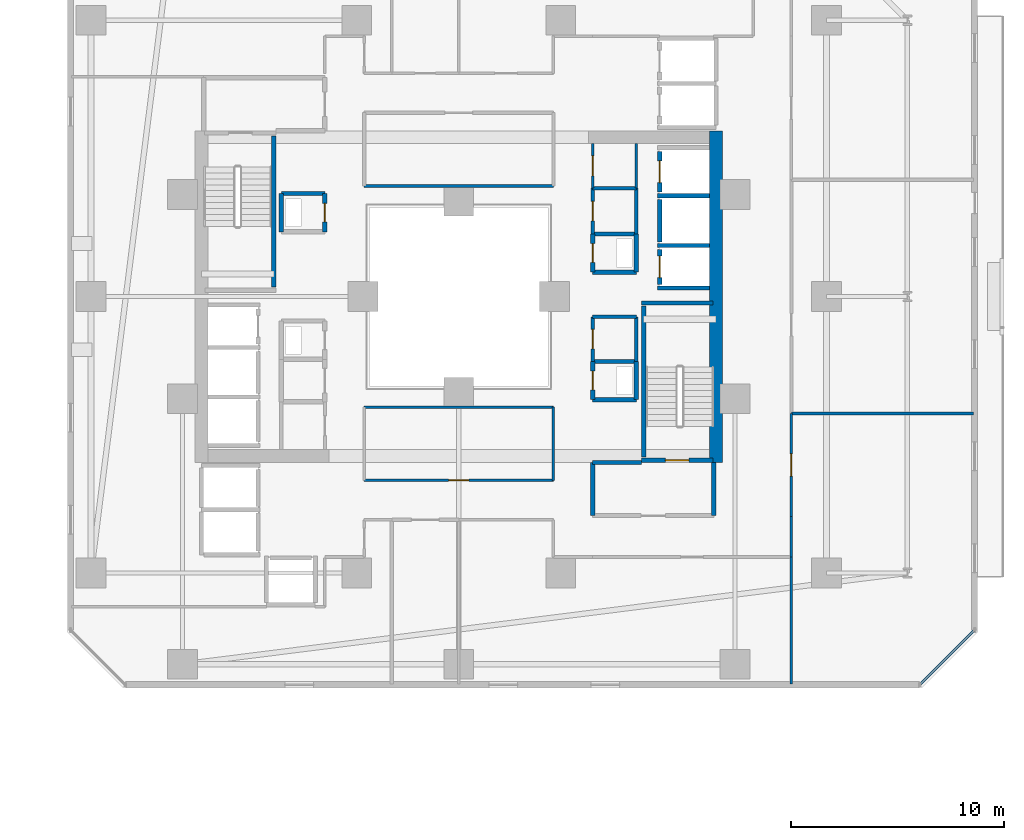
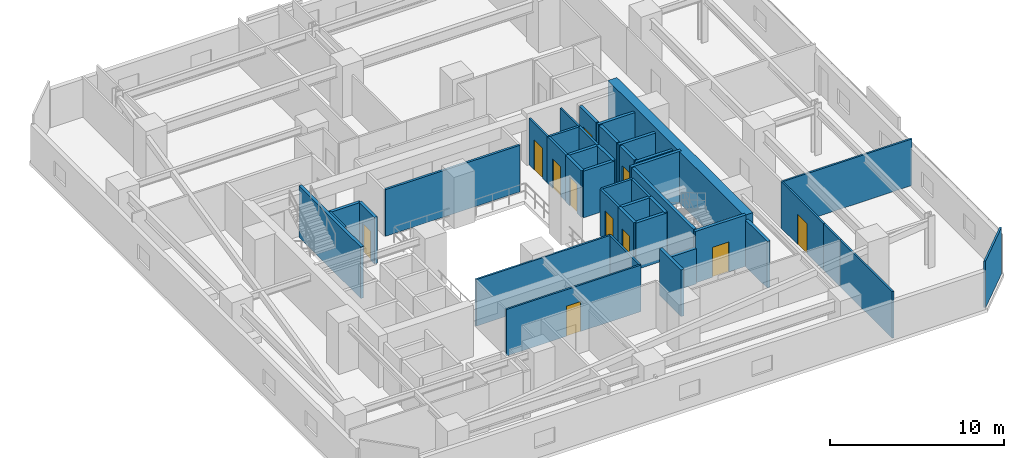
# One storey, part 26 of 36: 42 walls, 11 doors, 11 openings.
"""IFC4 building model written with IfcOpenShell, lengths in metres."""

from ifc_helpers import new_model, si_unit, direction, frame, frame_2d, origin, place, context, subcontext, project, spatial, rectangle, extrude, material, layer, layer_set, type_object, element, fill, save


model = new_model("IFC4")

# Units and contexts
model_context = context("Model", 3, precision=1e-05, world=origin(), true_north=direction((0.0, 1.0)))
body_context = subcontext(model_context, "Body", "Model", "MODEL_VIEW")
ifc_project = project(units=[si_unit("LENGTHUNIT", "METRE"), si_unit("AREAUNIT", "SQUARE_METRE"), si_unit("VOLUMEUNIT", "CUBIC_METRE"), si_unit("PLANEANGLEUNIT", "RADIAN"), si_unit("MASSUNIT", "GRAM", prefix="KILO")], contexts=[model_context])

# Site, building, storey
site_placement = place(None, origin())
site = spatial("IfcSite", under=ifc_project, at=site_placement, CompositionType="ELEMENT")
building_placement = place(site_placement, origin())
building = spatial("IfcBuilding", under=site, at=building_placement, Name="Thornwick Lancets Civic Towers", CompositionType="ELEMENT")
storey_placement = place(building_placement, frame((0.0, 0.0, 68.10009765625)))
storey = spatial("IfcBuildingStorey", under=building, at=storey_placement, Name="L17", CompositionType="ELEMENT", Elevation=68.10009765625)

# Wall, opening, door
ifc_material_1 = material(Name="Concrete blockwork C40/50", Category="masonry")
ifc_layer_1 = layer(ifc_material_1, 0.199951171875, Name="Concrete blockwork C40/50")
ifc_layer_set_1 = layer_set([ifc_layer_1], Name="Concrete blockwork C40/50")
wall_type_1 = type_object("IfcWallType", Name="WALL_COMP_200", PredefinedType="STANDARD", material=ifc_layer_set_1)
wall_1_placement = place(storey_placement, frame((97.949951171875, 29.219970703125, 0.0), z_axis=(0.0, 0.0, 1.0), x_axis=(0.0, -1.0, 0.0)))
wall_1 = element("IfcWall", 1, at=wall_1_placement, inside=storey, type_object=wall_type_1, Name="L17 Hoistway Front Wall FL-B1", PredefinedType="STANDARD", context=body_context, shape_type="SweptSolid", body=[
    extrude(rectangle(XDim=1.639892578125, YDim=0.199951171875, at=frame_2d((0.81982421875, 0.0))), origin(), (0.0, 0.0, 1.0), 3.260009765625),
])
opening_1_placement = place(wall_1_placement, frame((0.31005859375, 0.0, 0.0)))
opening_1 = element("IfcOpeningElement", 2, at=opening_1_placement, cuts=wall_1, Name="Opening LD-FL-B1", PredefinedType="OPENING", context=body_context, shape_type="SweptSolid", body=[
    extrude(rectangle(XDim=1.02001953125, YDim=2.06005859375, at=frame_2d((0.510009765625, 1.030029296875))), frame((0.0, 0.10986328125, 0.0), z_axis=(0.0, -1.0, 0.0), x_axis=(1.0, 0.0, 0.0)), (0.0, 0.0, 1.0), 0.219970703125),
])
ifc_material_2 = material(Name="Brushed bronze stainless steel", Category="steel")
door_type_1 = type_object("IfcDoorType", Name="DOOR_LIFT_SLIDE", OperationType="SLIDING_TO_LEFT", PredefinedType="DOOR", material=ifc_material_2)
door_1_placement = place(opening_1_placement, origin())
door_1 = element("IfcDoor", 3, at=door_1_placement, inside=storey, type_object=door_type_1, Name="L17 Sliding Lift Landing Door LD-FL-B1", OperationType="SLIDING_TO_LEFT", OverallHeight=2.06005859375, OverallWidth=1.02001953125, PredefinedType="DOOR", context=body_context, shape_type="SweptSolid", body=[
    extrude(rectangle(XDim=1.02001953125, YDim=2.06005859375, at=frame_2d((0.510009765625, 1.030029296875))), frame((0.0, 0.02490234375, 0.0), z_axis=(0.0, -1.0, 0.0), x_axis=(1.0, 0.0, 0.0)), (0.0, 0.0, 1.0), 0.050048828125),
])
fill(opening_1, door_1)

# Wall
wall_2_placement = place(storey_placement, frame((97.949951171875, 31.570068359375, 0.0), z_axis=(0.0, 0.0, 1.0), x_axis=(0.0, -1.0, 0.0)))
element("IfcWall", 4, at=wall_2_placement, inside=storey, type_object=wall_type_1, Name="L17 Hoistway Front Wall PL-BH1", PredefinedType="STANDARD", context=body_context, shape_type="SweptSolid", body=[
    extrude(rectangle(XDim=1.989990234375, YDim=0.199951171875, at=frame_2d((0.9951171875, 0.0))), origin(), (0.0, 0.0, 1.0), 3.260009765625),
])

# Wall, opening, door
wall_3_placement = place(storey_placement, frame((97.949951171875, 33.820068359375, 0.0), z_axis=(0.0, 0.0, 1.0), x_axis=(0.0, -1.0, 0.0)))
wall_3 = element("IfcWall", 5, at=wall_3_placement, inside=storey, type_object=wall_type_1, Name="L17 Hoistway Front Wall PL-BL1", PredefinedType="STANDARD", context=body_context, shape_type="SweptSolid", body=[
    extrude(rectangle(XDim=1.89013671875, YDim=0.199951171875, at=frame_2d((0.945068359375, 0.0))), origin(), (0.0, 0.0, 1.0), 3.260009765625),
])
opening_2_placement = place(wall_3_placement, frame((0.43505859375, 0.0, 0.0)))
opening_2 = element("IfcOpeningElement", 6, at=opening_2_placement, cuts=wall_3, Name="Opening LD-PL-BL1", PredefinedType="OPENING", context=body_context, shape_type="SweptSolid", body=[
    extrude(rectangle(XDim=1.02001953125, YDim=2.06005859375, at=frame_2d((0.510009765625, 1.030029296875))), frame((0.0, 0.10986328125, 0.0), z_axis=(0.0, -1.0, 0.0), x_axis=(1.0, 0.0, 0.0)), (0.0, 0.0, 1.0), 0.219970703125),
])
door_2_placement = place(opening_2_placement, origin())
door_2 = element("IfcDoor", 7, at=door_2_placement, inside=storey, type_object=door_type_1, Name="L17 Sliding Lift Landing Door LD-PL-BL1", OperationType="SLIDING_TO_LEFT", OverallHeight=2.06005859375, OverallWidth=1.02001953125, PredefinedType="DOOR", context=body_context, shape_type="SweptSolid", body=[
    extrude(rectangle(XDim=1.02001953125, YDim=2.06005859375, at=frame_2d((0.510009765625, 1.030029296875))), frame((0.0, 0.02490234375, 0.0), z_axis=(0.0, -1.0, 0.0), x_axis=(1.0, 0.0, 0.0)), (0.0, 0.0, 1.0), 0.050048828125),
])
fill(opening_2, door_2)

# Walls
for number, where, z_axis, x_axis, name in (
    (8, (97.85205078125, 29.39990234375, 0.0), (0.0, 0.0, 1.0), (1.0, 0.0, 0.0), "L17 Hoistway Shaft Wall FL-B1 N"),
    (9, (97.85205078125, 27.39990234375, 0.0), (0.0, 0.0, 1.0), (1.0, 0.0, 0.0), "L17 Hoistway Shaft Wall FL-B1 S"),
    (10, (97.85205078125, 31.75, 0.0), (0.0, 0.0, 1.0), (1.0, 0.0, 0.0), "L17 Hoistway Shaft Wall PL-BH1 N"),
):
    element("IfcWall", number, at=place(storey_placement, frame(where, z_axis=z_axis, x_axis=x_axis)), inside=storey, type_object=wall_type_1, Name=name, PredefinedType="STANDARD", context=body_context, shape_type="SweptSolid", body=[
        extrude(rectangle(XDim=2.43603515625, YDim=0.199951171875, at=frame_2d((1.218017578125, 0.0))), origin(), (0.0, 0.0, 1.0), 3.260009765625),
    ])
wall_4_placement = place(storey_placement, frame((100.5, 16.699951171875, 0.0), z_axis=(0.0, 0.0, 1.0), x_axis=(0.0, 1.0, 0.0)))
element("IfcWall", 11, at=wall_4_placement, inside=storey, type_object=wall_type_1, Name="L17 Partition L17-B-FFLOB1 E2", PredefinedType="STANDARD", context=body_context, shape_type="SweptSolid", body=[
    extrude(rectangle(XDim=2.5, YDim=0.199951171875, at=frame_2d((1.25, 0.0))), origin(), (0.0, 0.0, 1.0), 3.260009765625),
])
wall_5_placement = place(storey_placement, frame((97.10009765625, 19.199951171875, 0.0), z_axis=(0.0, 0.0, 1.0), x_axis=(-1.0, 0.0, 0.0)))
element("IfcWall", 12, at=wall_5_placement, inside=storey, type_object=wall_type_1, Name="L17 Partition L17-B-FFLOB1 E3", PredefinedType="STANDARD", context=body_context, shape_type="SweptSolid", body=[
    extrude(rectangle(XDim=2.300048828125, YDim=0.199951171875, at=frame_2d((1.14990234375, 0.0))), origin(), (0.0, 0.0, 1.0), 2.46484375),
])
wall_6_placement = place(storey_placement, frame((94.800048828125, 19.199951171875, 0.0), z_axis=(0.0, 0.0, 1.0), x_axis=(0.0, -1.0, 0.0)))
element("IfcWall", 13, at=wall_6_placement, inside=storey, type_object=wall_type_1, Name="L17 Partition L17-B-FFLOB1 E4", PredefinedType="STANDARD", context=body_context, shape_type="SweptSolid", body=[
    extrude(rectangle(XDim=2.5, YDim=0.199951171875, at=frame_2d((1.25, 0.0))), origin(), (0.0, 0.0, 1.0), 3.260009765625),
])
wall_7_placement = place(storey_placement, frame((94.800048828125, 28.14990234375, 0.0), z_axis=(0.0, 0.0, 1.0), x_axis=(1.0, 0.0, 0.0)))
element("IfcWall", 14, at=wall_7_placement, inside=storey, type_object=wall_type_1, Name="L17 Partition L17-B-DUCT1 E1", PredefinedType="STANDARD", context=body_context, shape_type="SweptSolid", body=[
    extrude(rectangle(XDim=2.050048828125, YDim=0.199951171875, at=frame_2d((1.02490234375, 0.0))), origin(), (0.0, 0.0, 1.0), 3.260009765625),
])
wall_8_placement = place(storey_placement, frame((96.85009765625, 28.14990234375, 0.0), z_axis=(0.0, 0.0, 1.0), x_axis=(0.0, 1.0, 0.0)))
element("IfcWall", 15, at=wall_8_placement, inside=storey, type_object=wall_type_1, Name="L17 Partition L17-B-DUCT1 E2", PredefinedType="STANDARD", context=body_context, shape_type="SweptSolid", body=[
    extrude(rectangle(XDim=1.800048828125, YDim=0.199951171875, at=frame_2d((0.89990234375, 0.0))), origin(), (0.0, 0.0, 1.0), 3.260009765625),
])
wall_9_placement = place(storey_placement, frame((96.85009765625, 29.949951171875, 0.0), z_axis=(0.0, 0.0, 1.0), x_axis=(-1.0, 0.0, 0.0)))
element("IfcWall", 16, at=wall_9_placement, inside=storey, type_object=wall_type_1, Name="L17 Partition L17-B-DUCT1 E3", PredefinedType="STANDARD", context=body_context, shape_type="SweptSolid", body=[
    extrude(rectangle(XDim=2.050048828125, YDim=0.199951171875, at=frame_2d((1.02490234375, 0.0))), origin(), (0.0, 0.0, 1.0), 3.260009765625),
])

# Wall, opening, door
wall_10_placement = place(storey_placement, frame((94.800048828125, 29.949951171875, 0.0), z_axis=(0.0, 0.0, 1.0), x_axis=(0.0, -1.0, 0.0)))
wall_10 = element("IfcWall", 17, at=wall_10_placement, inside=storey, type_object=wall_type_1, Name="L17 Partition L17-B-DUCT1 E4", PredefinedType="STANDARD", context=body_context, shape_type="SweptSolid", body=[
    extrude(rectangle(XDim=1.800048828125, YDim=0.199951171875, at=frame_2d((0.89990234375, 0.0))), origin(), (0.0, 0.0, 1.0), 3.260009765625),
])
opening_3_placement = place(wall_10_placement, frame((0.4599609375, 0.0, 0.0)))
opening_3 = element("IfcOpeningElement", 18, at=opening_3_placement, cuts=wall_10, Name="Opening D-L17-0814", PredefinedType="OPENING", context=body_context, shape_type="SweptSolid", body=[
    extrude(rectangle(XDim=0.8798828125, YDim=2.0400390625, at=frame_2d((0.43994140625, 1.02001953125))), frame((0.0, 0.10986328125, 0.0), z_axis=(0.0, -1.0, 0.0), x_axis=(1.0, 0.0, 0.0)), (0.0, 0.0, 1.0), 0.219970703125),
])
ifc_material_3 = material(Name="Steel riser access doorset", Category="steel")
door_type_2 = type_object("IfcDoorType", Name="DOOR_RISER_850", OperationType="NOTDEFINED", PredefinedType="DOOR", material=ifc_material_3)
door_3_placement = place(opening_3_placement, origin())
door_3 = element("IfcDoor", 19, at=door_3_placement, inside=storey, type_object=door_type_2, Name="L17 East Service Duct 1 Door", OperationType="SINGLE_SWING_LEFT", OverallHeight=2.0400390625, OverallWidth=0.8798828125, PredefinedType="DOOR", context=body_context, shape_type="SweptSolid", body=[
    extrude(rectangle(XDim=0.8798828125, YDim=2.0400390625, at=frame_2d((0.43994140625, 1.02001953125))), frame((0.0, 0.02490234375, 0.0), z_axis=(0.0, -1.0, 0.0), x_axis=(1.0, 0.0, 0.0)), (0.0, 0.0, 1.0), 0.050048828125),
])
fill(opening_3, door_3)

# Walls
wall_11_placement = place(storey_placement, frame((94.800048828125, 22.14990234375, 0.0), z_axis=(0.0, 0.0, 1.0), x_axis=(1.0, 0.0, 0.0)))
element("IfcWall", 20, at=wall_11_placement, inside=storey, type_object=wall_type_1, Name="L17 Partition L17-B-RISER1 E1", PredefinedType="STANDARD", context=body_context, shape_type="SweptSolid", body=[
    extrude(rectangle(XDim=2.050048828125, YDim=0.199951171875, at=frame_2d((1.02490234375, 0.0))), origin(), (0.0, 0.0, 1.0), 3.260009765625),
])
wall_12_placement = place(storey_placement, frame((96.85009765625, 22.14990234375, 0.0), z_axis=(0.0, 0.0, 1.0), x_axis=(0.0, 1.0, 0.0)))
element("IfcWall", 21, at=wall_12_placement, inside=storey, type_object=wall_type_1, Name="L17 Partition L17-B-RISER1 E2", PredefinedType="STANDARD", context=body_context, shape_type="SweptSolid", body=[
    extrude(rectangle(XDim=1.800048828125, YDim=0.199951171875, at=frame_2d((0.89990234375, 0.0))), origin(), (0.0, 0.0, 1.0), 3.260009765625),
])
wall_13_placement = place(storey_placement, frame((96.85009765625, 23.949951171875, 0.0), z_axis=(0.0, 0.0, 1.0), x_axis=(-1.0, 0.0, 0.0)))
element("IfcWall", 22, at=wall_13_placement, inside=storey, type_object=wall_type_1, Name="L17 Partition L17-B-RISER1 E3", PredefinedType="STANDARD", context=body_context, shape_type="SweptSolid", body=[
    extrude(rectangle(XDim=2.050048828125, YDim=0.199951171875, at=frame_2d((1.02490234375, 0.0))), origin(), (0.0, 0.0, 1.0), 3.260009765625),
])

# Wall, opening, door
wall_14_placement = place(storey_placement, frame((94.800048828125, 23.949951171875, 0.0), z_axis=(0.0, 0.0, 1.0), x_axis=(0.0, -1.0, 0.0)))
wall_14 = element("IfcWall", 23, at=wall_14_placement, inside=storey, type_object=wall_type_1, Name="L17 Partition L17-B-RISER1 E4", PredefinedType="STANDARD", context=body_context, shape_type="SweptSolid", body=[
    extrude(rectangle(XDim=1.800048828125, YDim=0.199951171875, at=frame_2d((0.89990234375, 0.0))), origin(), (0.0, 0.0, 1.0), 3.260009765625),
])
opening_4_placement = place(wall_14_placement, frame((0.4599609375, 0.0, 0.0)))
opening_4 = element("IfcOpeningElement", 24, at=opening_4_placement, cuts=wall_14, Name="Opening D-L17-0815", PredefinedType="OPENING", context=body_context, shape_type="SweptSolid", body=[
    extrude(rectangle(XDim=0.8798828125, YDim=2.0400390625, at=frame_2d((0.43994140625, 1.02001953125))), frame((0.0, 0.10986328125, 0.0), z_axis=(0.0, -1.0, 0.0), x_axis=(1.0, 0.0, 0.0)), (0.0, 0.0, 1.0), 0.219970703125),
])
door_4_placement = place(opening_4_placement, origin())
door_4 = element("IfcDoor", 25, at=door_4_placement, inside=storey, type_object=door_type_2, Name="L17 East Electrical Riser 1 Door", OperationType="SINGLE_SWING_RIGHT", OverallHeight=2.0400390625, OverallWidth=0.8798828125, PredefinedType="DOOR", context=body_context, shape_type="SweptSolid", body=[
    extrude(rectangle(XDim=0.8798828125, YDim=2.0400390625, at=frame_2d((0.43994140625, 1.02001953125))), frame((0.0, 0.02490234375, 0.0), z_axis=(0.0, -1.0, 0.0), x_axis=(1.0, 0.0, 0.0)), (0.0, 0.0, 1.0), 0.050048828125),
])
fill(opening_4, door_4)

wall_15_placement = place(storey_placement, frame((82.199951171875, 30.050048828125, 0.0), z_axis=(0.0, 0.0, 1.0), x_axis=(0.0, 1.0, 0.0)))
wall_15 = element("IfcWall", 26, at=wall_15_placement, inside=storey, type_object=wall_type_1, Name="L17 Partition L17-B-RISER2 E2", PredefinedType="STANDARD", context=body_context, shape_type="SweptSolid", body=[
    extrude(rectangle(XDim=1.800048828125, YDim=0.199951171875, at=frame_2d((0.89990234375, 0.0))), origin(), (0.0, 0.0, 1.0), 3.260009765625),
])
opening_5_placement = place(wall_15_placement, frame((0.4599609375, 0.0, 0.0)))
opening_5 = element("IfcOpeningElement", 27, at=opening_5_placement, cuts=wall_15, Name="Opening D-L17-0817", PredefinedType="OPENING", context=body_context, shape_type="SweptSolid", body=[
    extrude(rectangle(XDim=0.8798828125, YDim=2.0400390625, at=frame_2d((0.43994140625, 1.02001953125))), frame((0.0, 0.10986328125, 0.0), z_axis=(0.0, -1.0, 0.0), x_axis=(1.0, 0.0, 0.0)), (0.0, 0.0, 1.0), 0.219970703125),
])
door_5_placement = place(opening_5_placement, origin())
door_5 = element("IfcDoor", 28, at=door_5_placement, inside=storey, type_object=door_type_2, Name="L17 West Service Riser 2 Door", OperationType="SINGLE_SWING_RIGHT", OverallHeight=2.0400390625, OverallWidth=0.8798828125, PredefinedType="DOOR", context=body_context, shape_type="SweptSolid", body=[
    extrude(rectangle(XDim=0.8798828125, YDim=2.0400390625, at=frame_2d((0.43994140625, 1.02001953125))), frame((0.0, 0.02490234375, 0.0), z_axis=(0.0, -1.0, 0.0), x_axis=(1.0, 0.0, 0.0)), (0.0, 0.0, 1.0), 0.050048828125),
])
fill(opening_5, door_5)

# Walls
wall_16_placement = place(storey_placement, frame((82.199951171875, 31.85009765625, 0.0), z_axis=(0.0, 0.0, 1.0), x_axis=(-1.0, 0.0, 0.0)))
element("IfcWall", 29, at=wall_16_placement, inside=storey, type_object=wall_type_1, Name="L17 Partition L17-B-RISER2 E3", PredefinedType="STANDARD", context=body_context, shape_type="SweptSolid", body=[
    extrude(rectangle(XDim=2.050048828125, YDim=0.199951171875, at=frame_2d((1.02490234375, 0.0))), origin(), (0.0, 0.0, 1.0), 3.260009765625),
])
wall_17_placement = place(storey_placement, frame((80.14990234375, 31.85009765625, 0.0), z_axis=(0.0, 0.0, 1.0), x_axis=(0.0, -1.0, 0.0)))
element("IfcWall", 30, at=wall_17_placement, inside=storey, type_object=wall_type_1, Name="L17 Partition L17-B-RISER2 E4", PredefinedType="STANDARD", context=body_context, shape_type="SweptSolid", body=[
    extrude(rectangle(XDim=1.800048828125, YDim=0.199951171875, at=frame_2d((0.89990234375, 0.0))), origin(), (0.0, 0.0, 1.0), 3.260009765625),
])
ifc_material_4 = material(Name="Concrete C60/75", Category="concrete")
ifc_layer_2 = layer(ifc_material_4, 0.60009765625, Name="Concrete C60/75")
ifc_layer_set_2 = layer_set([ifc_layer_2], Name="Concrete C60/75")
wall_type_2 = type_object("IfcWallType", Name="WALL_CORE_600", PredefinedType="SHEAR", material=ifc_layer_set_2)
wall_18_placement = place(storey_placement, frame((100.60009765625, 19.199951171875, 0.0), z_axis=(0.0, 0.0, 1.0), x_axis=(0.0, 1.0, 0.0)))
element("IfcWall", 31, at=wall_18_placement, inside=storey, type_object=wall_type_2, Name="L17 Split Core B1 Shear Wall E", PredefinedType="SHEAR", context=body_context, shape_type="SweptSolid", body=[
    extrude(rectangle(XDim=15.60009765625, YDim=0.60009765625, at=frame_2d((7.800048828125, 0.0))), origin(), (0.0, 0.0, 1.0), 3.599853515625),
])

# Wall, opening, door
ifc_material_5 = material(Name="Acoustic gypsum board partition")
ifc_layer_3 = layer(ifc_material_5, 0.1201171875, Name="Acoustic gypsum board partition")
ifc_layer_set_3 = layer_set([ifc_layer_3], Name="Acoustic gypsum board partition")
wall_type_3 = type_object("IfcWallType", Name="WALL_PART_120", PredefinedType="PARTITIONING", material=ifc_layer_set_3)
wall_19_placement = place(storey_placement, frame((94.800048828125, 32.10009765625, 0.0), z_axis=(0.0, 0.0, 1.0), x_axis=(0.0, 1.0, 0.0)))
wall_19 = element("IfcWall", 32, at=wall_19_placement, inside=storey, type_object=wall_type_3, Name="L17 Partition L17-B-ITR E1", PredefinedType="PARTITIONING", context=body_context, shape_type="SweptSolid", body=[
    extrude(rectangle(XDim=2.099853515625, YDim=0.1201171875, at=frame_2d((1.0498046875, 0.0))), origin(), (0.0, 0.0, 1.0), 3.260009765625),
])
opening_6_placement = place(wall_19_placement, frame((0.574951171875, 0.0, 0.0)))
opening_6 = element("IfcOpeningElement", 33, at=opening_6_placement, cuts=wall_19, Name="Opening D-L17-0820", PredefinedType="OPENING", context=body_context, shape_type="SweptSolid", body=[
    extrude(rectangle(XDim=0.949951171875, YDim=2.10009765625, at=frame_2d((0.47509765625, 1.050048828125))), frame((0.0, 0.070068359375, 0.0), z_axis=(0.0, -1.0, 0.0), x_axis=(1.0, 0.0, 0.0)), (0.0, 0.0, 1.0), 0.14013671875),
])
ifc_material_6 = material(Name="European oak acoustic doorset")
door_type_3 = type_object("IfcDoorType", Name="DOOR_OFFICE_950", OperationType="NOTDEFINED", PredefinedType="DOOR", material=ifc_material_6)
door_6_placement = place(opening_6_placement, origin())
door_6 = element("IfcDoor", 34, at=door_6_placement, inside=storey, type_object=door_type_3, Name="L17 Tower B Comms Patch Room Door", OperationType="SINGLE_SWING_LEFT", OverallHeight=2.10009765625, OverallWidth=0.949951171875, PredefinedType="DOOR", context=body_context, shape_type="SweptSolid", body=[
    extrude(rectangle(XDim=0.949951171875, YDim=2.10009765625, at=frame_2d((0.47509765625, 1.050048828125))), frame((0.0, 0.02490234375, 0.0), z_axis=(0.0, -1.0, 0.0), x_axis=(1.0, 0.0, 0.0)), (0.0, 0.0, 1.0), 0.050048828125),
])
fill(opening_6, door_6)

# Walls
wall_20_placement = place(storey_placement, frame((96.85009765625, 34.199951171875, 0.0), z_axis=(0.0, 0.0, 1.0), x_axis=(0.0, -1.0, 0.0)))
element("IfcWall", 35, at=wall_20_placement, inside=storey, type_object=wall_type_3, Name="L17 Partition L17-B-ITR E3", PredefinedType="PARTITIONING", context=body_context, shape_type="SweptSolid", body=[
    extrude(rectangle(XDim=2.099853515625, YDim=0.1201171875, at=frame_2d((1.0498046875, 0.0))), origin(), (0.0, 0.0, 1.0), 3.260009765625),
])
wall_21_placement = place(storey_placement, frame((104.14990234375, 14.75, 0.0), z_axis=(0.0, 0.0, 1.0), x_axis=(0.0, -1.0, 0.0)))
element("IfcWall", 36, at=wall_21_placement, inside=storey, type_object=wall_type_3, Name="L17 Partition L17-B-W1 E4", PredefinedType="PARTITIONING", context=body_context, shape_type="SweptSolid", body=[
    extrude(rectangle(XDim=5.969970703125, YDim=0.1201171875, at=frame_2d((2.98486328125, 0.0))), origin(), (0.0, 0.0, 1.0), 3.260009765625),
])
wall_22_placement = place(storey_placement, frame((84.050048828125, 21.800048828125, 0.0), z_axis=(0.0, 0.0, 1.0), x_axis=(1.0, 0.0, 0.0)))
element("IfcWall", 37, at=wall_22_placement, inside=storey, type_object=wall_type_3, Name="L17 Partition L17-B-ATR-W E2", PredefinedType="PARTITIONING", context=body_context, shape_type="SweptSolid", body=[
    extrude(rectangle(XDim=8.89990234375, YDim=0.1201171875, at=frame_2d((4.449951171875, 0.0))), origin(), (0.0, 0.0, 1.0), 3.260009765625),
])
wall_23_placement = place(storey_placement, frame((92.949951171875, 21.800048828125, 0.0), z_axis=(0.0, 0.0, 1.0), x_axis=(0.0, -1.0, 0.0)))
element("IfcWall", 38, at=wall_23_placement, inside=storey, type_object=wall_type_3, Name="L17 Partition L17-B-ATR-W E3", PredefinedType="PARTITIONING", context=body_context, shape_type="SweptSolid", body=[
    extrude(rectangle(XDim=3.449951171875, YDim=0.1201171875, at=frame_2d((1.72509765625, 0.0))), origin(), (0.0, 0.0, 1.0), 3.260009765625),
])

# Wall, opening, door
wall_24_placement = place(storey_placement, frame((92.949951171875, 18.35009765625, 0.0), z_axis=(0.0, 0.0, 1.0), x_axis=(-1.0, 0.0, 0.0)))
wall_24 = element("IfcWall", 39, at=wall_24_placement, inside=storey, type_object=wall_type_3, Name="L17 Partition L17-B-ATR-W E4", PredefinedType="PARTITIONING", context=body_context, shape_type="SweptSolid", body=[
    extrude(rectangle(XDim=8.89990234375, YDim=0.1201171875, at=frame_2d((4.449951171875, 0.0))), origin(), (0.0, 0.0, 1.0), 3.260009765625),
])
opening_7_placement = place(wall_24_placement, frame((3.97509765625, 0.0, 0.0)))
opening_7 = element("IfcOpeningElement", 40, at=opening_7_placement, cuts=wall_24, Name="Opening D-L17-0841", PredefinedType="OPENING", context=body_context, shape_type="SweptSolid", body=[
    extrude(rectangle(XDim=0.949951171875, YDim=2.10009765625, at=frame_2d((0.47509765625, 1.050048828125))), frame((0.0, 0.070068359375, 0.0), z_axis=(0.0, -1.0, 0.0), x_axis=(1.0, 0.0, 0.0)), (0.0, 0.0, 1.0), 0.14013671875),
])
door_7_placement = place(opening_7_placement, origin())
door_7 = element("IfcDoor", 41, at=door_7_placement, inside=storey, type_object=door_type_3, Name="L17 Tower B West Atrium Study Lounge Door", OperationType="SINGLE_SWING_RIGHT", OverallHeight=2.10009765625, OverallWidth=0.949951171875, PredefinedType="DOOR", context=body_context, shape_type="SweptSolid", body=[
    extrude(rectangle(XDim=0.949951171875, YDim=2.10009765625, at=frame_2d((0.47509765625, 1.050048828125))), frame((0.0, 0.02490234375, 0.0), z_axis=(0.0, -1.0, 0.0), x_axis=(1.0, 0.0, 0.0)), (0.0, 0.0, 1.0), 0.050048828125),
])
fill(opening_7, door_7)

# Wall
wall_25_placement = place(storey_placement, frame((104.14990234375, 14.75, 0.0), z_axis=(0.0, 0.0, 1.0), x_axis=(0.0, 1.0, 0.0)))
element("IfcWall", 42, at=wall_25_placement, inside=storey, type_object=wall_type_3, Name="L17 Partition L17-B-S-OFF1 E3", PredefinedType="PARTITIONING", context=body_context, shape_type="SweptSolid", body=[
    extrude(rectangle(XDim=1.89990234375, YDim=0.1201171875, at=frame_2d((0.949951171875, 0.0))), origin(), (0.0, 0.0, 1.0), 3.260009765625),
])

# Wall, opening, door
wall_26_placement = place(storey_placement, frame((104.14990234375, 16.64990234375, 0.0), z_axis=(0.0, 0.0, 1.0), x_axis=(0.0, 1.0, 0.0)))
wall_26 = element("IfcWall", 43, at=wall_26_placement, inside=storey, type_object=wall_type_3, Name="L17 Partition L17-B-S-OFF1 E4", PredefinedType="PARTITIONING", context=body_context, shape_type="SweptSolid", body=[
    extrude(rectangle(XDim=4.85009765625, YDim=0.1201171875, at=frame_2d((2.425048828125, 0.0))), origin(), (0.0, 0.0, 1.0), 3.260009765625),
])
opening_8_placement = place(wall_26_placement, frame((1.89990234375, 0.0, 0.0)))
opening_8 = element("IfcOpeningElement", 44, at=opening_8_placement, cuts=wall_26, Name="Opening D-L17-0842", PredefinedType="OPENING", context=body_context, shape_type="SweptSolid", body=[
    extrude(rectangle(XDim=1.050048828125, YDim=2.10009765625, at=frame_2d((0.52490234375, 1.050048828125))), frame((0.0, 0.070068359375, 0.0), z_axis=(0.0, -1.0, 0.0), x_axis=(1.0, 0.0, 0.0)), (0.0, 0.0, 1.0), 0.14013671875),
])
ifc_material_7 = material(Name="Glazed European oak executive doorset")
door_type_4 = type_object("IfcDoorType", Name="DOOR_OFFICE_1050", OperationType="NOTDEFINED", PredefinedType="DOOR", material=ifc_material_7)
door_8_placement = place(opening_8_placement, origin())
door_8 = element("IfcDoor", 45, at=door_8_placement, inside=storey, type_object=door_type_4, Name="L17 Tower B South-West Division Office Door", OperationType="SINGLE_SWING_LEFT", OverallHeight=2.10009765625, OverallWidth=1.050048828125, PredefinedType="DOOR", context=body_context, shape_type="SweptSolid", body=[
    extrude(rectangle(XDim=1.050048828125, YDim=2.10009765625, at=frame_2d((0.52490234375, 1.050048828125))), frame((0.0, 0.02490234375, 0.0), z_axis=(0.0, -1.0, 0.0), x_axis=(1.0, 0.0, 0.0)), (0.0, 0.0, 1.0), 0.050048828125),
])
fill(opening_8, door_8)

# Walls
wall_27_placement = place(storey_placement, frame((104.14990234375, 21.5, 0.0), z_axis=(0.0, 0.0, 1.0), x_axis=(1.0, 0.0, 0.0)))
element("IfcWall", 46, at=wall_27_placement, inside=storey, type_object=wall_type_3, Name="L17 Partition L17-B-S-OFF1 E5", PredefinedType="PARTITIONING", context=body_context, shape_type="SweptSolid", body=[
    extrude(rectangle(XDim=8.570068359375, YDim=0.1201171875, at=frame_2d((4.28515625, 0.0))), origin(), (0.0, 0.0, 1.0), 3.260009765625),
])
wall_28_placement = place(storey_placement, frame((112.719970703125, 11.274658203125, 0.0), z_axis=(0.0, 0.0, 1.0), x_axis=(-0.707106781187, -0.707106781187, 0.0)))
element("IfcWall", 47, at=wall_28_placement, inside=storey, type_object=wall_type_3, Name="L17 Partition L17-B-S-OFF1 E7", PredefinedType="PARTITIONING", context=body_context, shape_type="SweptSolid", body=[
    extrude(rectangle(XDim=3.52783203125, YDim=0.1201171875, at=frame_2d((1.763916015625, 0.0))), origin(), (0.0, 0.0, 1.0), 3.260009765625),
])

# Wall, opening, door
ifc_material_8 = material(Name="Twin-stud acoustic gypsum board")
ifc_layer_4 = layer(ifc_material_8, 0.14990234375, Name="Twin-stud acoustic gypsum board")
ifc_layer_set_4 = layer_set([ifc_layer_4], Name="Twin-stud acoustic gypsum board")
wall_type_4 = type_object("IfcWallType", Name="WALL_PART_150", PredefinedType="PARTITIONING", material=ifc_layer_set_4)
wall_29_placement = place(storey_placement, frame((94.800048828125, 23.949951171875, 0.0), z_axis=(0.0, 0.0, 1.0), x_axis=(0.0, 1.0, 0.0)))
wall_29 = element("IfcWall", 48, at=wall_29_placement, inside=storey, type_object=wall_type_4, Name="L17 Partition L17-B-MWC E1", PredefinedType="PARTITIONING", context=body_context, shape_type="SweptSolid", body=[
    extrude(rectangle(XDim=2.10009765625, YDim=0.14990234375, at=frame_2d((1.050048828125, 0.0))), origin(), (0.0, 0.0, 1.0), 3.260009765625),
])
opening_9_placement = place(wall_29_placement, frame((0.590087890625, 0.0, 0.0)))
opening_9 = element("IfcOpeningElement", 49, at=opening_9_placement, cuts=wall_29, Name="Opening D-L17-0818", PredefinedType="OPENING", context=body_context, shape_type="SweptSolid", body=[
    extrude(rectangle(XDim=0.919921875, YDim=2.080078125, at=frame_2d((0.4599609375, 1.0400390625))), frame((0.0, 0.0849609375, 0.0), z_axis=(0.0, -1.0, 0.0), x_axis=(1.0, 0.0, 0.0)), (0.0, 0.0, 1.0), 0.169921875),
])
ifc_material_9 = material(Name="Moisture-resistant oak doorset")
door_type_5 = type_object("IfcDoorType", Name="DOOR_WC_900", OperationType="NOTDEFINED", PredefinedType="DOOR", material=ifc_material_9)
door_9_placement = place(opening_9_placement, origin())
door_9 = element("IfcDoor", 50, at=door_9_placement, inside=storey, type_object=door_type_5, Name="L17 Tower B Male WC Door", OperationType="SINGLE_SWING_LEFT", OverallHeight=2.080078125, OverallWidth=0.919921875, PredefinedType="DOOR", context=body_context, shape_type="SweptSolid", body=[
    extrude(rectangle(XDim=0.919921875, YDim=2.080078125, at=frame_2d((0.4599609375, 1.0400390625))), frame((0.0, 0.02490234375, 0.0), z_axis=(0.0, -1.0, 0.0), x_axis=(1.0, 0.0, 0.0)), (0.0, 0.0, 1.0), 0.050048828125),
])
fill(opening_9, door_9)

# Walls
wall_30_placement = place(storey_placement, frame((94.800048828125, 26.050048828125, 0.0), z_axis=(0.0, 0.0, 1.0), x_axis=(1.0, 0.0, 0.0)))
element("IfcWall", 51, at=wall_30_placement, inside=storey, type_object=wall_type_4, Name="L17 Partition L17-B-MWC E2", PredefinedType="PARTITIONING", context=body_context, shape_type="SweptSolid", body=[
    extrude(rectangle(XDim=2.050048828125, YDim=0.14990234375, at=frame_2d((1.02490234375, 0.0))), origin(), (0.0, 0.0, 1.0), 3.260009765625),
])
wall_31_placement = place(storey_placement, frame((96.85009765625, 26.050048828125, 0.0), z_axis=(0.0, 0.0, 1.0), x_axis=(0.0, -1.0, 0.0)))
element("IfcWall", 52, at=wall_31_placement, inside=storey, type_object=wall_type_4, Name="L17 Partition L17-B-MWC E3", PredefinedType="PARTITIONING", context=body_context, shape_type="SweptSolid", body=[
    extrude(rectangle(XDim=2.10009765625, YDim=0.14990234375, at=frame_2d((1.050048828125, 0.0))), origin(), (0.0, 0.0, 1.0), 3.260009765625),
])

# Wall, opening, door
wall_32_placement = place(storey_placement, frame((94.800048828125, 29.949951171875, 0.0), z_axis=(0.0, 0.0, 1.0), x_axis=(0.0, 1.0, 0.0)))
wall_32 = element("IfcWall", 53, at=wall_32_placement, inside=storey, type_object=wall_type_4, Name="L17 Partition L17-B-FWC E1", PredefinedType="PARTITIONING", context=body_context, shape_type="SweptSolid", body=[
    extrude(rectangle(XDim=2.150146484375, YDim=0.14990234375, at=frame_2d((1.0751953125, 0.0))), origin(), (0.0, 0.0, 1.0), 3.260009765625),
])
opening_10_placement = place(wall_32_placement, frame((0.614990234375, 0.0, 0.0)))
opening_10 = element("IfcOpeningElement", 54, at=opening_10_placement, cuts=wall_32, Name="Opening D-L17-0819", PredefinedType="OPENING", context=body_context, shape_type="SweptSolid", body=[
    extrude(rectangle(XDim=0.919921875, YDim=2.080078125, at=frame_2d((0.4599609375, 1.0400390625))), frame((0.0, 0.0849609375, 0.0), z_axis=(0.0, -1.0, 0.0), x_axis=(1.0, 0.0, 0.0)), (0.0, 0.0, 1.0), 0.169921875),
])
door_10_placement = place(opening_10_placement, origin())
door_10 = element("IfcDoor", 55, at=door_10_placement, inside=storey, type_object=door_type_5, Name="L17 Tower B Female WC Door", OperationType="SINGLE_SWING_RIGHT", OverallHeight=2.080078125, OverallWidth=0.919921875, PredefinedType="DOOR", context=body_context, shape_type="SweptSolid", body=[
    extrude(rectangle(XDim=0.919921875, YDim=2.080078125, at=frame_2d((0.4599609375, 1.0400390625))), frame((0.0, 0.02490234375, 0.0), z_axis=(0.0, -1.0, 0.0), x_axis=(1.0, 0.0, 0.0)), (0.0, 0.0, 1.0), 0.050048828125),
])
fill(opening_10, door_10)

# Walls
wall_33_placement = place(storey_placement, frame((94.800048828125, 32.10009765625, 0.0), z_axis=(0.0, 0.0, 1.0), x_axis=(1.0, 0.0, 0.0)))
element("IfcWall", 56, at=wall_33_placement, inside=storey, type_object=wall_type_4, Name="L17 Partition L17-B-FWC E2", PredefinedType="PARTITIONING", context=body_context, shape_type="SweptSolid", body=[
    extrude(rectangle(XDim=2.050048828125, YDim=0.14990234375, at=frame_2d((1.02490234375, 0.0))), origin(), (0.0, 0.0, 1.0), 3.260009765625),
])
wall_34_placement = place(storey_placement, frame((96.85009765625, 32.10009765625, 0.0), z_axis=(0.0, 0.0, 1.0), x_axis=(0.0, -1.0, 0.0)))
element("IfcWall", 57, at=wall_34_placement, inside=storey, type_object=wall_type_4, Name="L17 Partition L17-B-FWC E3", PredefinedType="PARTITIONING", context=body_context, shape_type="SweptSolid", body=[
    extrude(rectangle(XDim=2.150146484375, YDim=0.14990234375, at=frame_2d((1.0751953125, 0.0))), origin(), (0.0, 0.0, 1.0), 3.260009765625),
])
wall_35_placement = place(storey_placement, frame((92.949951171875, 32.199951171875, 0.0), z_axis=(0.0, 0.0, 1.0), x_axis=(-1.0, 0.0, 0.0)))
element("IfcWall", 58, at=wall_35_placement, inside=storey, type_object=wall_type_4, Name="L17 Partition L17-B-ATR-E E4", PredefinedType="PARTITIONING", context=body_context, shape_type="SweptSolid", body=[
    extrude(rectangle(XDim=8.89990234375, YDim=0.14990234375, at=frame_2d((4.449951171875, 0.0))), origin(), (0.0, 0.0, 1.0), 3.260009765625),
])

# Wall, opening, door
ifc_material_10 = material(Name="Concrete C40/50", Category="concrete")
ifc_layer_5 = layer(ifc_material_10, 0.199951171875, Name="Concrete C40/50")
ifc_layer_set_5 = layer_set([ifc_layer_5], Name="Concrete C40/50")
wall_type_5 = type_object("IfcWallType", Name="WALL_SHAFT_200", PredefinedType="SHEAR", material=ifc_layer_set_5)
wall_36_placement = place(storey_placement, frame((100.449951171875, 19.300048828125, 0.0), z_axis=(0.0, 0.0, 1.0), x_axis=(-1.0, 0.0, 0.0)))
wall_36 = element("IfcWall", 59, at=wall_36_placement, inside=storey, type_object=wall_type_5, Name="L17 ST-B1 Fire Stair Core Wall NEAR", PredefinedType="SHEAR", context=body_context, shape_type="SweptSolid", body=[
    extrude(rectangle(XDim=3.349853515625, YDim=0.199951171875, at=frame_2d((1.6748046875, 0.0))), origin(), (0.0, 0.0, 1.0), 3.599853515625),
])
opening_11_placement = place(wall_36_placement, frame((1.125, 0.0, 0.0)))
opening_11 = element("IfcOpeningElement", 60, at=opening_11_placement, cuts=wall_36, Name="Opening D-ST-B1-L17", PredefinedType="OPENING", context=body_context, shape_type="SweptSolid", body=[
    extrude(rectangle(XDim=1.10009765625, YDim=2.10009765625, at=frame_2d((0.550048828125, 1.050048828125))), frame((0.0, 0.10986328125, 0.0), z_axis=(0.0, -1.0, 0.0), x_axis=(1.0, 0.0, 0.0)), (0.0, 0.0, 1.0), 0.219970703125),
])
ifc_material_11 = material(Name="Fire-resisting steel and hardwood", Category="steel")
door_type_6 = type_object("IfcDoorType", Name="DOOR_STAIR_FD60", OperationType="NOTDEFINED", PredefinedType="DOOR", material=ifc_material_11)
door_11_placement = place(opening_11_placement, origin())
door_11 = element("IfcDoor", 61, at=door_11_placement, inside=storey, type_object=door_type_6, Name="L17 ST-B1 Exit Stair Door", OperationType="SINGLE_SWING_RIGHT", OverallHeight=2.10009765625, OverallWidth=1.10009765625, PredefinedType="DOOR", context=body_context, shape_type="SweptSolid", body=[
    extrude(rectangle(XDim=1.10009765625, YDim=2.10009765625, at=frame_2d((0.550048828125, 1.050048828125))), frame((0.0, 0.02490234375, 0.0), z_axis=(0.0, -1.0, 0.0), x_axis=(1.0, 0.0, 0.0)), (0.0, 0.0, 1.0), 0.050048828125),
])
fill(opening_11, door_11)

# Walls
wall_37_placement = place(storey_placement, frame((97.10009765625, 26.699951171875, 0.0), z_axis=(0.0, 0.0, 1.0), x_axis=(1.0, 0.0, 0.0)))
element("IfcWall", 62, at=wall_37_placement, inside=storey, type_object=wall_type_5, Name="L17 ST-B1 Fire Stair Core Wall FAR", PredefinedType="SHEAR", context=body_context, shape_type="SweptSolid", body=[
    extrude(rectangle(XDim=3.349853515625, YDim=0.199951171875, at=frame_2d((1.6748046875, 0.0))), origin(), (0.0, 0.0, 1.0), 3.599853515625),
])
for number, where, z_axis, x_axis, name in (
    (63, (97.202880859375, 26.550048828125, 0.0), (0.0, 0.0, 1.0), (0.0, -1.0, 0.0), "L17 ST-B1 Fire Stair Core Wall RIGHT"),
    (64, (79.797119140625, 27.449951171875, 0.0), (0.0, 0.0, 1.0), (0.0, 1.0, 0.0), "L17 ST-B2 Fire Stair Core Wall RIGHT"),
):
    element("IfcWall", number, at=place(storey_placement, frame(where, z_axis=z_axis, x_axis=x_axis)), inside=storey, type_object=wall_type_5, Name=name, PredefinedType="SHEAR", context=body_context, shape_type="SweptSolid", body=[
        extrude(rectangle(XDim=7.10009765625, YDim=0.199951171875, at=frame_2d((3.550048828125, 0.0))), origin(), (0.0, 0.0, 1.0), 3.599853515625),
    ])

save(model, "model.ifc")
